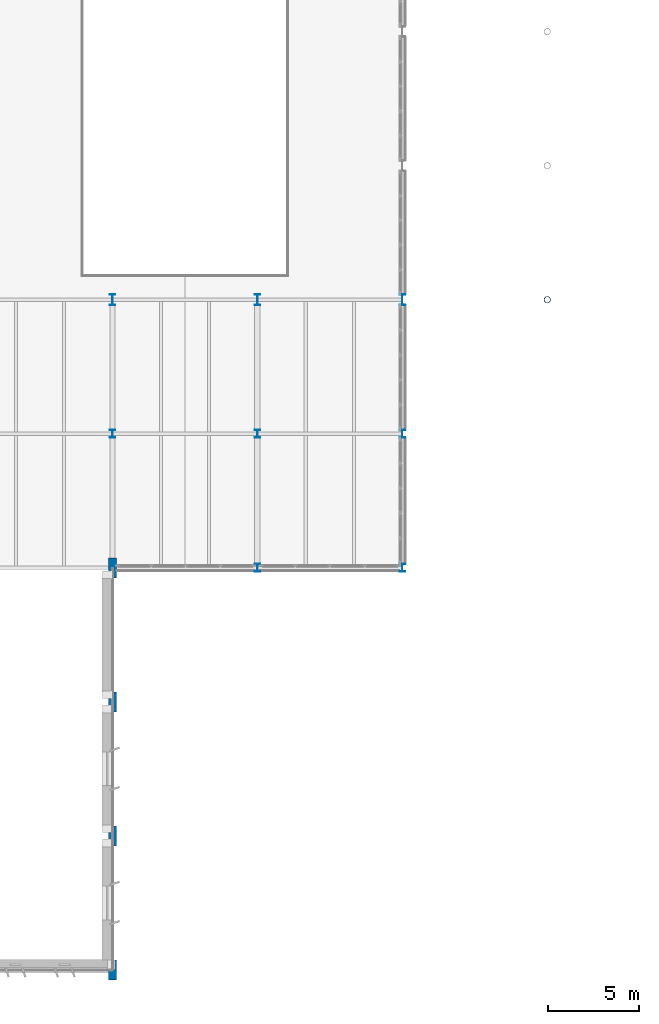
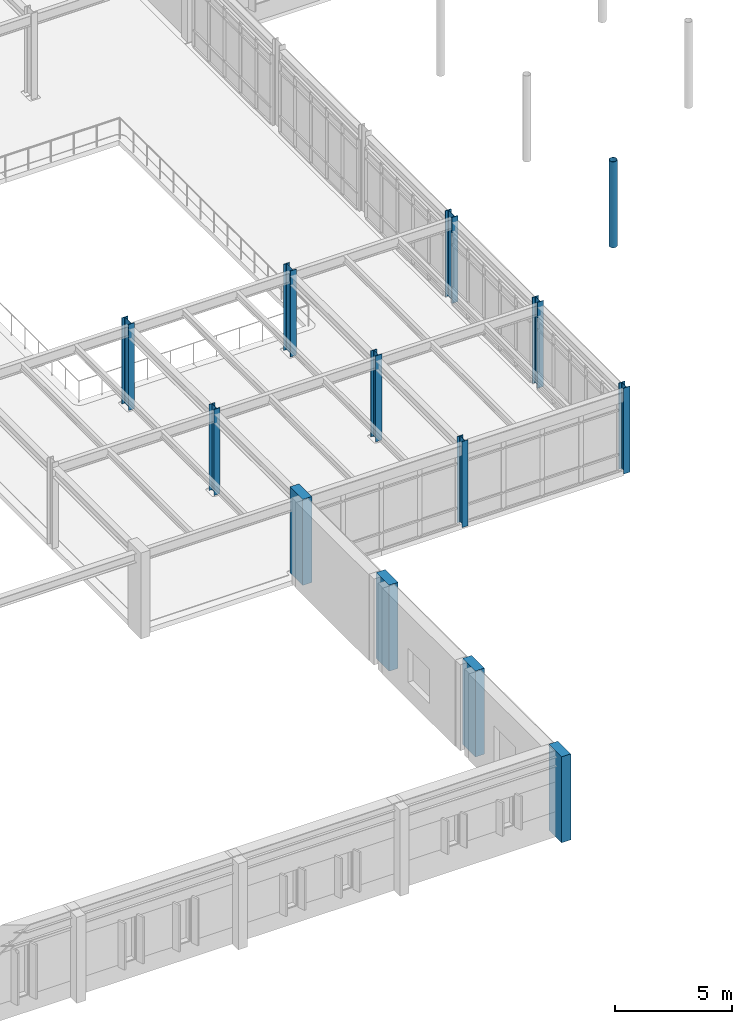
# One storey, part 4 of 75: 13 columns.
"""IFC4 building model written with IfcOpenShell, lengths in metres."""

from ifc_helpers import new_model, si_unit, direction, frame, origin, origin_2d, place, context, subcontext, project, spatial, rectangle, hollow_circle, i_section, extrude, material, material_profile, profile_set, type_object, element, save


model = new_model("IFC4")

# Units and contexts
model_context = context("Model", 3, precision=1e-05, world=origin(), true_north=direction((0.0, 1.0)))
body_context = subcontext(model_context, "Body", "Model", "MODEL_VIEW")
ifc_project = project(units=[si_unit("LENGTHUNIT", "METRE"), si_unit("AREAUNIT", "SQUARE_METRE"), si_unit("VOLUMEUNIT", "CUBIC_METRE"), si_unit("PLANEANGLEUNIT", "RADIAN"), si_unit("MASSUNIT", "GRAM", prefix="KILO")], contexts=[model_context])

# Site, building, storey
site_placement = place(None, origin())
site = spatial("IfcSite", under=ifc_project, at=site_placement, CompositionType="ELEMENT")
building_placement = place(site_placement, origin())
building = spatial("IfcBuilding", under=site, at=building_placement, Name="Valkorina Park Police Headquarters", CompositionType="ELEMENT")
storey_placement = place(building_placement, frame((0.0, 0.0, 5.39990234375)))
storey = spatial("IfcBuildingStorey", under=building, at=storey_placement, Name="L02", CompositionType="ELEMENT", Elevation=5.39990234375)

# Columns
ifc_material_1 = material(Name="Concrete C40/50", Category="concrete")
ifc_material_profile_1 = material_profile(ifc_material_1, rectangle(XDim=0.449951171875, YDim=1.10009765625, at=origin_2d()), Name="RC PIER 450x1100")
ifc_profile_set_1 = profile_set([ifc_material_profile_1], Name="Concrete C40/50")
column_type_1 = type_object("IfcColumnType", Name="COL-RC-PIER-EXT", PredefinedType="PILASTER", material=ifc_profile_set_1)
for number, where, z_axis, x_axis, name in (
    (1, (64.800048828125, 0.0, 0.0), (0.0, 0.0, 1.0), (1.0, 0.0, 0.0), "L02 Column 0594"),
    (2, (64.800048828125, 7.39990234375, 0.0), (0.0, 0.0, 1.0), (1.0, 0.0, 0.0), "L02 Column 0595"),
    (3, (64.800048828125, 14.800048828125, 0.0), (0.0, 0.0, 1.0), (1.0, 0.0, 0.0), "L02 Column 0596"),
    (4, (64.800048828125, 22.199951171875, 0.0), (0.0, 0.0, 1.0), (1.0, 0.0, 0.0), "L02 Column 0597"),
):
    element("IfcColumn", number, at=place(storey_placement, frame(where, z_axis=z_axis, x_axis=x_axis)), inside=storey, type_object=column_type_1, Name=name, PredefinedType="PILASTER", context=body_context, shape_type="SweptSolid", body=[
        extrude(rectangle(XDim=0.449951171875, YDim=1.10009765625, at=origin_2d()), origin(), (0.0, 0.0, 1.0), 4.5),
    ])
ifc_material_2 = material(Name="Steel S355", Category="steel")
ifc_material_profile_2 = material_profile(ifc_material_2, hollow_circle(Radius=0.177734375, WallThickness=0.01611328125, at=origin_2d()), Name="CHS 355.6x16")
ifc_profile_set_2 = profile_set([ifc_material_profile_2], Name="Steel S355")
column_type_2 = type_object("IfcColumnType", Name="COL-S355-CHS355-EXT", PredefinedType="COLUMN", material=ifc_profile_set_2)
column_1_placement = place(storey_placement, frame((88.800048828125, 37.0, 0.0), z_axis=(0.0, 0.0, 1.0), x_axis=(1.0, 0.0, 0.0)))
element("IfcColumn", 5, at=column_1_placement, inside=storey, type_object=column_type_2, Name="L02 Column 0620", PredefinedType="COLUMN", context=body_context, shape_type="SweptSolid", body=[
    extrude(hollow_circle(Radius=0.177734375, WallThickness=0.01611328125, at=origin_2d()), origin(), (0.0, 0.0, 1.0), 4.5),
])
ifc_material_profile_3 = material_profile(ifc_material_2, i_section(OverallWidth=0.300048828125, OverallDepth=0.449951171875, WebThickness=0.013916015625, FlangeThickness=0.02587890625, FilletRadius=0.027099609375, at=origin_2d()), Name="HEB 450")
ifc_profile_set_3 = profile_set([ifc_material_profile_3], Name="Steel S355")
column_type_3 = type_object("IfcColumnType", Name="COL-S355-HEB450-EXT", PredefinedType="COLUMN", material=ifc_profile_set_3)
for number, where, z_axis, x_axis, name in (
    (6, (72.800048828125, 22.199951171875, 0.0), (0.0, 0.0, 1.0), (1.0, 0.0, 0.0), "L02 Column 0604"),
    (7, (80.800048828125, 22.199951171875, 0.0), (0.0, 0.0, 1.0), (1.0, 0.0, 0.0), "L02 Column 0611"),
    (8, (80.800048828125, 29.60009765625, 0.0), (0.0, 0.0, 1.0), (1.0, 0.0, 0.0), "L02 Column 0612"),
):
    element("IfcColumn", number, at=place(storey_placement, frame(where, z_axis=z_axis, x_axis=x_axis)), inside=storey, type_object=column_type_3, Name=name, PredefinedType="COLUMN", context=body_context, shape_type="SweptSolid", body=[
        extrude(i_section(OverallWidth=0.300048828125, OverallDepth=0.449951171875, WebThickness=0.013916015625, FlangeThickness=0.02587890625, FilletRadius=0.027099609375, at=origin_2d()), origin(), (0.0, 0.0, 1.0), 4.5),
    ])
ifc_material_profile_4 = material_profile(ifc_material_2, i_section(OverallWidth=0.300048828125, OverallDepth=0.449951171875, WebThickness=0.013916015625, FlangeThickness=0.02587890625, FilletRadius=0.027099609375, at=origin_2d()), Name="HEB 450")
ifc_profile_set_4 = profile_set([ifc_material_profile_4], Name="Steel S355")
column_type_4 = type_object("IfcColumnType", Name="COL-S355-HEB450-INT", PredefinedType="COLUMN", material=ifc_profile_set_4)
for number, where, z_axis, x_axis, name in (
    (9, (64.800048828125, 29.60009765625, 0.0), (0.0, 0.0, 1.0), (1.0, 0.0, 0.0), "L02 Column 0598"),
    (10, (72.800048828125, 29.60009765625, 0.0), (0.0, 0.0, 1.0), (1.0, 0.0, 0.0), "L02 Column 0605"),
):
    element("IfcColumn", number, at=place(storey_placement, frame(where, z_axis=z_axis, x_axis=x_axis)), inside=storey, type_object=column_type_4, Name=name, PredefinedType="COLUMN", context=body_context, shape_type="SweptSolid", body=[
        extrude(i_section(OverallWidth=0.300048828125, OverallDepth=0.449951171875, WebThickness=0.013916015625, FlangeThickness=0.02587890625, FilletRadius=0.027099609375, at=origin_2d()), origin(), (0.0, 0.0, 1.0), 4.5),
    ])
ifc_material_profile_5 = material_profile(ifc_material_2, i_section(OverallWidth=0.300048828125, OverallDepth=0.60009765625, WebThickness=0.015380859375, FlangeThickness=0.030029296875, FilletRadius=0.027099609375, at=origin_2d()), Name="HEB 600")
ifc_profile_set_5 = profile_set([ifc_material_profile_5], Name="Steel S355")
column_type_5 = type_object("IfcColumnType", Name="COL-S355-HEB600-EXT", PredefinedType="COLUMN", material=ifc_profile_set_5)
column_2_placement = place(storey_placement, frame((80.800048828125, 37.0, 0.0), z_axis=(0.0, 0.0, 1.0), x_axis=(1.0, 0.0, 0.0)))
element("IfcColumn", 11, at=column_2_placement, inside=storey, type_object=column_type_5, Name="L02 Column 0613", PredefinedType="COLUMN", context=body_context, shape_type="SweptSolid", body=[
    extrude(i_section(OverallWidth=0.300048828125, OverallDepth=0.60009765625, WebThickness=0.015380859375, FlangeThickness=0.030029296875, FilletRadius=0.027099609375, at=origin_2d()), origin(), (0.0, 0.0, 1.0), 4.5),
])
ifc_material_profile_6 = material_profile(ifc_material_2, i_section(OverallWidth=0.300048828125, OverallDepth=0.60009765625, WebThickness=0.015380859375, FlangeThickness=0.030029296875, FilletRadius=0.027099609375, at=origin_2d()), Name="HEB 600")
ifc_profile_set_6 = profile_set([ifc_material_profile_6], Name="Steel S355")
column_type_6 = type_object("IfcColumnType", Name="COL-S355-HEB600-INT", PredefinedType="COLUMN", material=ifc_profile_set_6)
for number, where, z_axis, x_axis, name in (
    (12, (64.800048828125, 37.0, 0.0), (0.0, 0.0, 1.0), (1.0, 0.0, 0.0), "L02 Column 0599"),
    (13, (72.800048828125, 37.0, 0.0), (0.0, 0.0, 1.0), (1.0, 0.0, 0.0), "L02 Column 0606"),
):
    element("IfcColumn", number, at=place(storey_placement, frame(where, z_axis=z_axis, x_axis=x_axis)), inside=storey, type_object=column_type_6, Name=name, PredefinedType="COLUMN", context=body_context, shape_type="SweptSolid", body=[
        extrude(i_section(OverallWidth=0.300048828125, OverallDepth=0.60009765625, WebThickness=0.015380859375, FlangeThickness=0.030029296875, FilletRadius=0.027099609375, at=origin_2d()), origin(), (0.0, 0.0, 1.0), 4.5),
    ])

save(model, "model.ifc")
